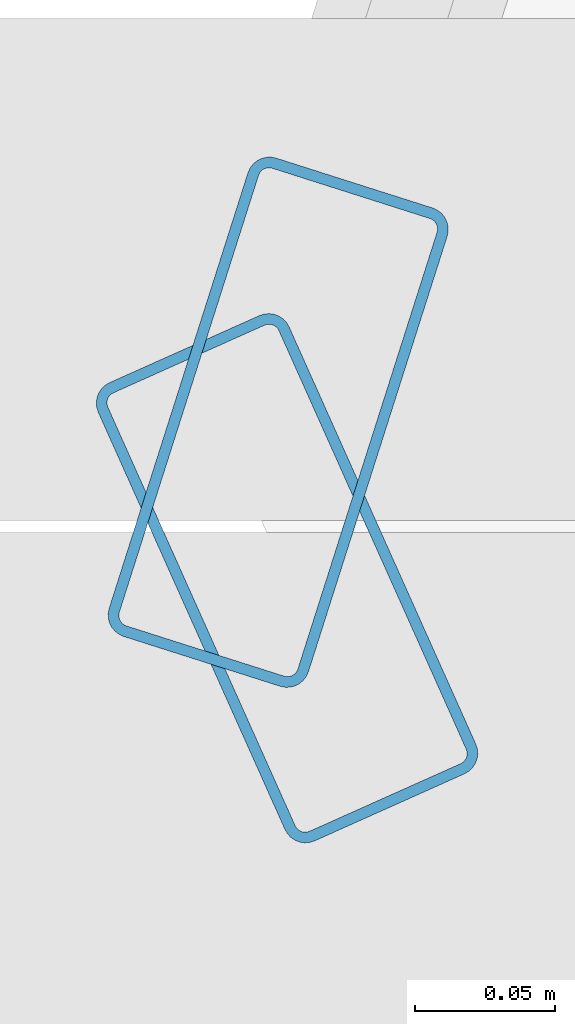
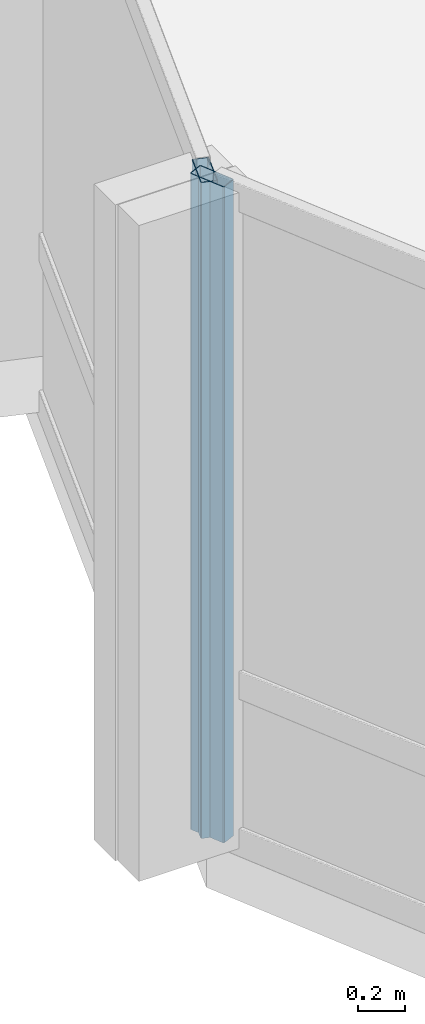
# One storey, part 6 of 19: 2 members, 2 elements without a shape of their own.
"""IFC4 building model written with IfcOpenShell, lengths in metres."""

from ifc_helpers import new_model, si_unit, direction, frame, origin, origin_2d, place, context, subcontext, project, spatial, hollow_rectangle, extrude, material, layer, layer_set, material_profile, profile_set, type_object, element, aggregate, save


model = new_model("IFC4")

# Units and contexts
model_context = context("Model", 3, precision=1e-05, world=origin(), true_north=direction((0.0, 1.0)))
body_context = subcontext(model_context, "Body", "Model", "MODEL_VIEW")
ifc_project = project(units=[si_unit("LENGTHUNIT", "METRE"), si_unit("AREAUNIT", "SQUARE_METRE"), si_unit("VOLUMEUNIT", "CUBIC_METRE"), si_unit("PLANEANGLEUNIT", "RADIAN"), si_unit("MASSUNIT", "GRAM", prefix="KILO")], contexts=[model_context])

# Site, building, storey
site_placement = place(None, origin())
site = spatial("IfcSite", under=ifc_project, at=site_placement, CompositionType="ELEMENT")
building_placement = place(site_placement, origin())
building = spatial("IfcBuilding", under=site, at=building_placement, Name="Solvaryn Broadcast Tower", CompositionType="ELEMENT")
storey_placement = place(building_placement, frame((0.0, 0.0, 274.10009765625)))
storey = spatial("IfcBuildingStorey", under=building, at=storey_placement, Name="L69", CompositionType="ELEMENT", Elevation=274.10009765625)

# Curtain wall, member
ifc_material_1 = material(Name="Aluminium and Terracotta Unitised Curtain Wall", Category="masonry")
ifc_layer = layer(ifc_material_1, 0.199951171875)
ifc_layer_set = layer_set([ifc_layer], Name="CW-SYS2-LOWMID")
curtain_wall_type = type_object("IfcCurtainWallType", Name="CW-SYS2-LOWMID", PredefinedType="NOTDEFINED", material=ifc_layer_set)
curtain_wall_1_placement = place(storey_placement, origin())
curtain_wall_1 = element("IfcCurtainWall", 1, at=curtain_wall_1_placement, inside=storey, type_object=curtain_wall_type, Name="L69 Curtain Wall DR1", PredefinedType="NOTDEFINED")
ifc_material_2 = material(Name="Anodised Aluminium 6063-T6", Category="aluminium")
ifc_material_profile = material_profile(ifc_material_2, hollow_rectangle(XDim=0.074951171875, YDim=0.179931640625, WallThickness=0.00390625, InnerFilletRadius=0.00390625, OuterFilletRadius=0.008056640625, at=origin_2d()))
ifc_profile_set = profile_set([ifc_material_profile], Name="Anodised Aluminium 6063-T6")
member_type = type_object("IfcMemberType", Name="CW-MUL-180", PredefinedType="MULLION", material=ifc_profile_set)
member_1_placement = place(storey_placement, frame((3.7470703125, 26.66455078125, 0.0), z_axis=(0.0, 0.0, 1.0), x_axis=(0.952794594701, -0.30361564569, 0.0)))
member_1 = element("IfcMember", 2, at=member_1_placement, type_object=member_type, Name="CWS2 mullion 2", PredefinedType="MULLION", context=body_context, shape_type="SweptSolid", body=[
    extrude(hollow_rectangle(XDim=0.074951171875, YDim=0.179931640625, WallThickness=0.00390625, InnerFilletRadius=0.00390625, OuterFilletRadius=0.008056640625, at=origin_2d()), origin(), (0.0, 0.0, 1.0), 3.419921875),
])
aggregate(curtain_wall_1, [member_1])

curtain_wall_2_placement = place(storey_placement, origin())
curtain_wall_2 = element("IfcCurtainWall", 3, at=curtain_wall_2_placement, inside=storey, type_object=curtain_wall_type, Name="L69 Curtain Wall DR2", PredefinedType="NOTDEFINED")
member_2_placement = place(storey_placement, frame((3.750244140625, 26.608642578125, 0.0), z_axis=(0.0, 0.0, 1.0), x_axis=(0.912773530574, 0.408466010682, 0.0)))
member_2 = element("IfcMember", 4, at=member_2_placement, type_object=member_type, Name="CWS2 mullion 1", PredefinedType="MULLION", context=body_context, shape_type="SweptSolid", body=[
    extrude(hollow_rectangle(XDim=0.074951171875, YDim=0.179931640625, WallThickness=0.00390625, InnerFilletRadius=0.00390625, OuterFilletRadius=0.008056640625, at=origin_2d()), origin(), (0.0, 0.0, 1.0), 3.419921875),
])
aggregate(curtain_wall_2, [member_2])

save(model, "model.ifc")
